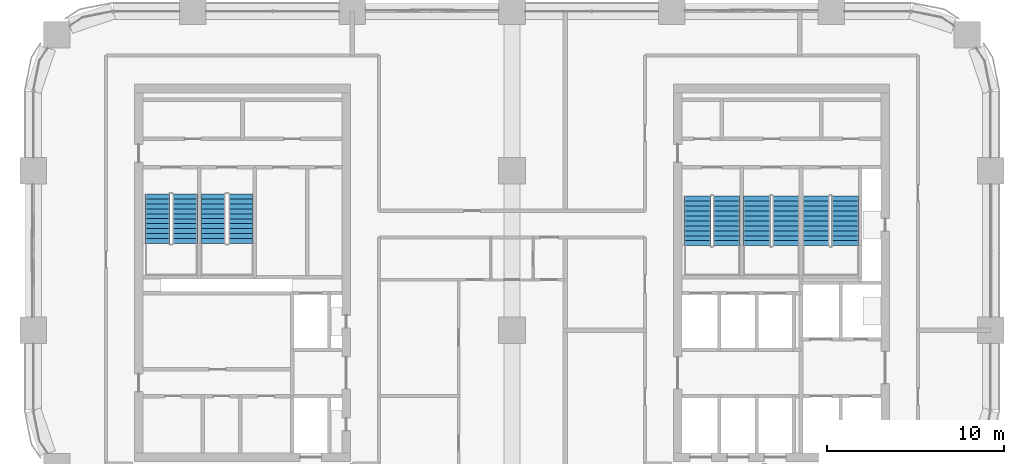
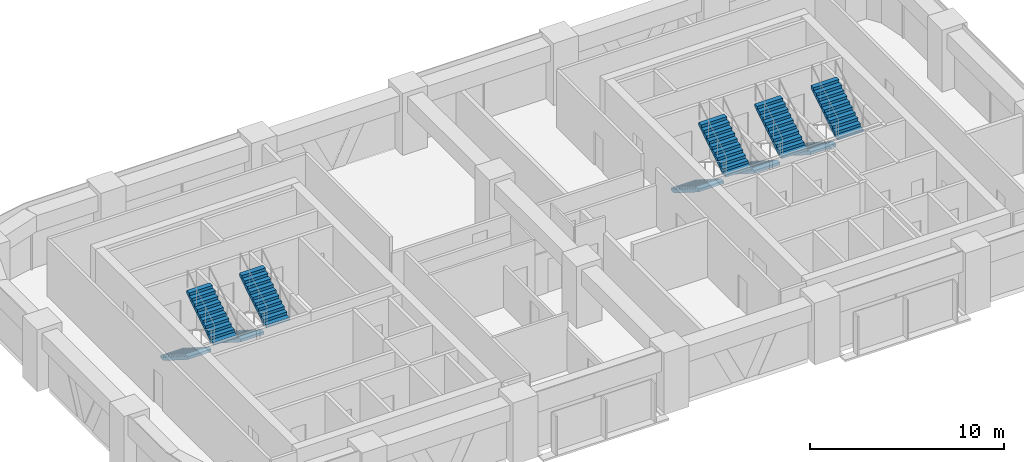
# One storey, part 11 of 13: 10 stair flights, 5 elements without a shape of their own.
"""IFC4 building model written with IfcOpenShell, lengths in metres."""

from ifc_helpers import new_model, si_unit, direction, frame, origin, place, context, subcontext, project, spatial, polyline, outline, extrude, material, type_object, element, aggregate, save


model = new_model("IFC4")

# Units and contexts
model_context = context("Model", 3, precision=1e-05, world=origin(), true_north=direction((0.0, 1.0)))
body_context = subcontext(model_context, "Body", "Model", "MODEL_VIEW")
ifc_project = project(units=[si_unit("LENGTHUNIT", "METRE"), si_unit("AREAUNIT", "SQUARE_METRE"), si_unit("VOLUMEUNIT", "CUBIC_METRE"), si_unit("PLANEANGLEUNIT", "RADIAN"), si_unit("MASSUNIT", "GRAM", prefix="KILO")], contexts=[model_context])

# Site, building, storey
site_placement = place(None, origin())
site = spatial("IfcSite", under=ifc_project, at=site_placement, CompositionType="ELEMENT")
building_placement = place(site_placement, origin())
building = spatial("IfcBuilding", under=site, at=building_placement, Name="Tessera Arch", CompositionType="ELEMENT")
storey_placement = place(building_placement, frame((0.0, 0.0, 158.300048828125)))
storey = spatial("IfcBuildingStorey", under=building, at=storey_placement, Name="L37", CompositionType="ELEMENT", Elevation=158.300048828125)

# Stair, stair flights
ifc_material_1 = material(Name="Concrete C40/50", Category="concrete")
stair_type_1 = type_object("IfcStairType", Name="Dogleg stair 1400", PredefinedType="HALF_TURN_STAIR", material=ifc_material_1)
stair_1_placement = place(storey_placement, origin())
stair_1 = element("IfcStair", 1, at=stair_1_placement, inside=storey, type_object=stair_type_1, Name="L37 S2a", PredefinedType="HALF_TURN_STAIR")
ifc_material_2 = material(Name="Concrete C40/50", Category="concrete")
stair_flight_type_1 = type_object("IfcStairFlightType", Name="Stair flight 1400", PredefinedType="STRAIGHT", material=ifc_material_2)
stair_flight_1_placement = place(storey_placement, frame((7.0, 43.699951171875, 0.0), z_axis=(0.0, 0.0, 1.0), x_axis=(0.0, -1.0, 0.0)))
stair_flight_1 = element("IfcStairFlight", 2, at=stair_flight_1_placement, type_object=stair_flight_type_1, Name="S2a flight 1", NumberOfRisers=11, NumberOfTreads=10, PredefinedType="STRAIGHT", RiserHeight=0.177272727, TreadLength=0.28, context=body_context, shape_type="SweptSolid", body=[
    extrude(outline(polyline([(0.0, 0.0), (0.0, 0.17724609375), (0.280029296875, 0.17724609375), (0.280029296875, 0.3544921875), (0.56005859375, 0.3544921875), (0.56005859375, 0.53173828125), (0.840087890625, 0.53173828125), (0.840087890625, 0.708984375), (1.1201171875, 0.708984375), (1.1201171875, 0.886474609375), (1.39990234375, 0.886474609375), (1.39990234375, 1.063720703125), (1.679931640625, 1.063720703125), (1.679931640625, 1.240966796875), (1.9599609375, 1.240966796875), (1.9599609375, 1.418212890625), (2.239990234375, 1.418212890625), (2.239990234375, 1.595458984375), (2.52001953125, 1.595458984375), (2.52001953125, 1.772705078125), (2.800048828125, 1.772705078125), (2.800048828125, 1.949951171875), (2.800048828125, 1.59521484375), (0.2802734375, 0.0), (0.0, 0.0)])), frame((0.0, 0.699951171875, 0.0), z_axis=(0.0, -1.0, 0.0), x_axis=(1.0, 0.0, 0.0)), (0.0, 0.0, 1.0), 1.39990234375),
])
stair_flight_2_placement = place(storey_placement, frame((8.550048828125, 40.89990234375, 1.949951171875), z_axis=(0.0, 0.0, 1.0), x_axis=(0.0, 1.0, 0.0)))
stair_flight_2 = element("IfcStairFlight", 3, at=stair_flight_2_placement, type_object=stair_flight_type_1, Name="S2a flight 2", NumberOfRisers=11, NumberOfTreads=10, PredefinedType="STRAIGHT", RiserHeight=0.177272727, TreadLength=0.28, context=body_context, shape_type="SweptSolid", body=[
    extrude(outline(polyline([(0.0, 0.0), (0.0, 0.17724609375), (0.280029296875, 0.17724609375), (0.280029296875, 0.3544921875), (0.56005859375, 0.3544921875), (0.56005859375, 0.53173828125), (0.840087890625, 0.53173828125), (0.840087890625, 0.708984375), (1.1201171875, 0.708984375), (1.1201171875, 0.886474609375), (1.39990234375, 0.886474609375), (1.39990234375, 1.063720703125), (1.679931640625, 1.063720703125), (1.679931640625, 1.240966796875), (1.9599609375, 1.240966796875), (1.9599609375, 1.418212890625), (2.239990234375, 1.418212890625), (2.239990234375, 1.595458984375), (2.52001953125, 1.595458984375), (2.52001953125, 1.772705078125), (2.800048828125, 1.772705078125), (2.800048828125, 1.949951171875), (2.800048828125, 1.59521484375), (0.2802734375, 0.0), (0.0, 0.0)])), frame((0.0, 0.699951171875, 0.0), z_axis=(0.0, -1.0, 0.0), x_axis=(1.0, 0.0, 0.0)), (0.0, 0.0, 1.0), 1.39990234375),
])
aggregate(stair_1, [stair_flight_1, stair_flight_2])

stair_2_placement = place(storey_placement, origin())
stair_2 = element("IfcStair", 4, at=stair_2_placement, inside=storey, type_object=stair_type_1, Name="L37 S2b", PredefinedType="HALF_TURN_STAIR")
stair_flight_3_placement = place(storey_placement, frame((10.14990234375, 43.699951171875, 0.0), z_axis=(0.0, 0.0, 1.0), x_axis=(0.0, -1.0, 0.0)))
stair_flight_3 = element("IfcStairFlight", 5, at=stair_flight_3_placement, type_object=stair_flight_type_1, Name="S2b flight 1", NumberOfRisers=11, NumberOfTreads=10, PredefinedType="STRAIGHT", RiserHeight=0.177272727, TreadLength=0.28, context=body_context, shape_type="SweptSolid", body=[
    extrude(outline(polyline([(0.0, 0.0), (0.0, 0.17724609375), (0.280029296875, 0.17724609375), (0.280029296875, 0.3544921875), (0.56005859375, 0.3544921875), (0.56005859375, 0.53173828125), (0.840087890625, 0.53173828125), (0.840087890625, 0.708984375), (1.1201171875, 0.708984375), (1.1201171875, 0.886474609375), (1.39990234375, 0.886474609375), (1.39990234375, 1.063720703125), (1.679931640625, 1.063720703125), (1.679931640625, 1.240966796875), (1.9599609375, 1.240966796875), (1.9599609375, 1.418212890625), (2.239990234375, 1.418212890625), (2.239990234375, 1.595458984375), (2.52001953125, 1.595458984375), (2.52001953125, 1.772705078125), (2.800048828125, 1.772705078125), (2.800048828125, 1.949951171875), (2.800048828125, 1.59521484375), (0.2802734375, 0.0), (0.0, 0.0)])), frame((0.0, 0.699951171875, 0.0), z_axis=(0.0, -1.0, 0.0), x_axis=(1.0, 0.0, 0.0)), (0.0, 0.0, 1.0), 1.39990234375),
])
stair_flight_4_placement = place(storey_placement, frame((11.699951171875, 40.89990234375, 1.949951171875), z_axis=(0.0, 0.0, 1.0), x_axis=(0.0, 1.0, 0.0)))
stair_flight_4 = element("IfcStairFlight", 6, at=stair_flight_4_placement, type_object=stair_flight_type_1, Name="S2b flight 2", NumberOfRisers=11, NumberOfTreads=10, PredefinedType="STRAIGHT", RiserHeight=0.177272727, TreadLength=0.28, context=body_context, shape_type="SweptSolid", body=[
    extrude(outline(polyline([(0.0, 0.0), (0.0, 0.17724609375), (0.280029296875, 0.17724609375), (0.280029296875, 0.3544921875), (0.56005859375, 0.3544921875), (0.56005859375, 0.53173828125), (0.840087890625, 0.53173828125), (0.840087890625, 0.708984375), (1.1201171875, 0.708984375), (1.1201171875, 0.886474609375), (1.39990234375, 0.886474609375), (1.39990234375, 1.063720703125), (1.679931640625, 1.063720703125), (1.679931640625, 1.240966796875), (1.9599609375, 1.240966796875), (1.9599609375, 1.418212890625), (2.239990234375, 1.418212890625), (2.239990234375, 1.595458984375), (2.52001953125, 1.595458984375), (2.52001953125, 1.772705078125), (2.800048828125, 1.772705078125), (2.800048828125, 1.949951171875), (2.800048828125, 1.59521484375), (0.2802734375, 0.0), (0.0, 0.0)])), frame((0.0, 0.699951171875, 0.0), z_axis=(0.0, -1.0, 0.0), x_axis=(1.0, 0.0, 0.0)), (0.0, 0.0, 1.0), 1.39990234375),
])
aggregate(stair_2, [stair_flight_3, stair_flight_4])

ifc_material_3 = material(Name="Concrete C40/50", Category="concrete")
stair_type_2 = type_object("IfcStairType", Name="Dogleg stair 1520", PredefinedType="HALF_TURN_STAIR", material=ifc_material_3)
stair_3_placement = place(storey_placement, origin())
stair_3 = element("IfcStair", 7, at=stair_3_placement, inside=storey, type_object=stair_type_2, Name="L37 S1a", PredefinedType="HALF_TURN_STAIR")
ifc_material_4 = material(Name="Concrete C40/50", Category="concrete")
stair_flight_type_2 = type_object("IfcStairFlightType", Name="Stair flight 1520", PredefinedType="STRAIGHT", material=ifc_material_4)
stair_flight_5_placement = place(storey_placement, frame((37.4599609375, 43.580078125, 0.0), z_axis=(0.0, 0.0, 1.0), x_axis=(0.0, -1.0, 0.0)))
stair_flight_5 = element("IfcStairFlight", 8, at=stair_flight_5_placement, type_object=stair_flight_type_2, Name="S1a flight 1", NumberOfRisers=11, NumberOfTreads=10, PredefinedType="STRAIGHT", RiserHeight=0.177272727, TreadLength=0.28, context=body_context, shape_type="SweptSolid", body=[
    extrude(outline(polyline([(0.0, 0.0), (0.0, 0.17724609375), (0.280029296875, 0.17724609375), (0.280029296875, 0.3544921875), (0.56005859375, 0.3544921875), (0.56005859375, 0.53173828125), (0.840087890625, 0.53173828125), (0.840087890625, 0.708984375), (1.1201171875, 0.708984375), (1.1201171875, 0.886474609375), (1.39990234375, 0.886474609375), (1.39990234375, 1.063720703125), (1.679931640625, 1.063720703125), (1.679931640625, 1.240966796875), (1.9599609375, 1.240966796875), (1.9599609375, 1.418212890625), (2.239990234375, 1.418212890625), (2.239990234375, 1.595458984375), (2.52001953125, 1.595458984375), (2.52001953125, 1.772705078125), (2.800048828125, 1.772705078125), (2.800048828125, 1.949951171875), (2.800048828125, 1.59521484375), (0.2802734375, 0.0), (0.0, 0.0)])), frame((0.0, 0.760009765625, 0.0), z_axis=(0.0, -1.0, 0.0), x_axis=(1.0, 0.0, 0.0)), (0.0, 0.0, 1.0), 1.52001953125),
])
stair_flight_6_placement = place(storey_placement, frame((39.090087890625, 40.780029296875, 1.949951171875), z_axis=(0.0, 0.0, 1.0), x_axis=(0.0, 1.0, 0.0)))
stair_flight_6 = element("IfcStairFlight", 9, at=stair_flight_6_placement, type_object=stair_flight_type_2, Name="S1a flight 2", NumberOfRisers=11, NumberOfTreads=10, PredefinedType="STRAIGHT", RiserHeight=0.177272727, TreadLength=0.28, context=body_context, shape_type="SweptSolid", body=[
    extrude(outline(polyline([(0.0, 0.0), (0.0, 0.17724609375), (0.280029296875, 0.17724609375), (0.280029296875, 0.3544921875), (0.56005859375, 0.3544921875), (0.56005859375, 0.53173828125), (0.840087890625, 0.53173828125), (0.840087890625, 0.708984375), (1.1201171875, 0.708984375), (1.1201171875, 0.886474609375), (1.39990234375, 0.886474609375), (1.39990234375, 1.063720703125), (1.679931640625, 1.063720703125), (1.679931640625, 1.240966796875), (1.9599609375, 1.240966796875), (1.9599609375, 1.418212890625), (2.239990234375, 1.418212890625), (2.239990234375, 1.595458984375), (2.52001953125, 1.595458984375), (2.52001953125, 1.772705078125), (2.800048828125, 1.772705078125), (2.800048828125, 1.949951171875), (2.800048828125, 1.59521484375), (0.2802734375, 0.0), (0.0, 0.0)])), frame((0.0, 0.760009765625, 0.0), z_axis=(0.0, -1.0, 0.0), x_axis=(1.0, 0.0, 0.0)), (0.0, 0.0, 1.0), 1.52001953125),
])
aggregate(stair_3, [stair_flight_5, stair_flight_6])

stair_4_placement = place(storey_placement, origin())
stair_4 = element("IfcStair", 10, at=stair_4_placement, inside=storey, type_object=stair_type_2, Name="L37 S1b", PredefinedType="HALF_TURN_STAIR")
stair_flight_7_placement = place(storey_placement, frame((40.81005859375, 43.580078125, 0.0), z_axis=(0.0, 0.0, 1.0), x_axis=(0.0, -1.0, 0.0)))
stair_flight_7 = element("IfcStairFlight", 11, at=stair_flight_7_placement, type_object=stair_flight_type_2, Name="S1b flight 1", NumberOfRisers=11, NumberOfTreads=10, PredefinedType="STRAIGHT", RiserHeight=0.177272727, TreadLength=0.28, context=body_context, shape_type="SweptSolid", body=[
    extrude(outline(polyline([(0.0, 0.0), (0.0, 0.17724609375), (0.280029296875, 0.17724609375), (0.280029296875, 0.3544921875), (0.56005859375, 0.3544921875), (0.56005859375, 0.53173828125), (0.840087890625, 0.53173828125), (0.840087890625, 0.708984375), (1.1201171875, 0.708984375), (1.1201171875, 0.886474609375), (1.39990234375, 0.886474609375), (1.39990234375, 1.063720703125), (1.679931640625, 1.063720703125), (1.679931640625, 1.240966796875), (1.9599609375, 1.240966796875), (1.9599609375, 1.418212890625), (2.239990234375, 1.418212890625), (2.239990234375, 1.595458984375), (2.52001953125, 1.595458984375), (2.52001953125, 1.772705078125), (2.800048828125, 1.772705078125), (2.800048828125, 1.949951171875), (2.800048828125, 1.59521484375), (0.2802734375, 0.0), (0.0, 0.0)])), frame((0.0, 0.760009765625, 0.0), z_axis=(0.0, -1.0, 0.0), x_axis=(1.0, 0.0, 0.0)), (0.0, 0.0, 1.0), 1.52001953125),
])
stair_flight_8_placement = place(storey_placement, frame((42.43994140625, 40.780029296875, 1.949951171875), z_axis=(0.0, 0.0, 1.0), x_axis=(0.0, 1.0, 0.0)))
stair_flight_8 = element("IfcStairFlight", 12, at=stair_flight_8_placement, type_object=stair_flight_type_2, Name="S1b flight 2", NumberOfRisers=11, NumberOfTreads=10, PredefinedType="STRAIGHT", RiserHeight=0.177272727, TreadLength=0.28, context=body_context, shape_type="SweptSolid", body=[
    extrude(outline(polyline([(0.0, 0.0), (0.0, 0.17724609375), (0.280029296875, 0.17724609375), (0.280029296875, 0.3544921875), (0.56005859375, 0.3544921875), (0.56005859375, 0.53173828125), (0.840087890625, 0.53173828125), (0.840087890625, 0.708984375), (1.1201171875, 0.708984375), (1.1201171875, 0.886474609375), (1.39990234375, 0.886474609375), (1.39990234375, 1.063720703125), (1.679931640625, 1.063720703125), (1.679931640625, 1.240966796875), (1.9599609375, 1.240966796875), (1.9599609375, 1.418212890625), (2.239990234375, 1.418212890625), (2.239990234375, 1.595458984375), (2.52001953125, 1.595458984375), (2.52001953125, 1.772705078125), (2.800048828125, 1.772705078125), (2.800048828125, 1.949951171875), (2.800048828125, 1.59521484375), (0.2802734375, 0.0), (0.0, 0.0)])), frame((0.0, 0.760009765625, 0.0), z_axis=(0.0, -1.0, 0.0), x_axis=(1.0, 0.0, 0.0)), (0.0, 0.0, 1.0), 1.52001953125),
])
aggregate(stair_4, [stair_flight_7, stair_flight_8])

stair_5_placement = place(storey_placement, origin())
stair_5 = element("IfcStair", 13, at=stair_5_placement, inside=storey, type_object=stair_type_2, Name="L37 S1c", PredefinedType="HALF_TURN_STAIR")
stair_flight_9_placement = place(storey_placement, frame((44.159912109375, 43.580078125, 0.0), z_axis=(0.0, 0.0, 1.0), x_axis=(0.0, -1.0, 0.0)))
stair_flight_9 = element("IfcStairFlight", 14, at=stair_flight_9_placement, type_object=stair_flight_type_2, Name="S1c flight 1", NumberOfRisers=11, NumberOfTreads=10, PredefinedType="STRAIGHT", RiserHeight=0.177272727, TreadLength=0.28, context=body_context, shape_type="SweptSolid", body=[
    extrude(outline(polyline([(0.0, 0.0), (0.0, 0.17724609375), (0.280029296875, 0.17724609375), (0.280029296875, 0.3544921875), (0.56005859375, 0.3544921875), (0.56005859375, 0.53173828125), (0.840087890625, 0.53173828125), (0.840087890625, 0.708984375), (1.1201171875, 0.708984375), (1.1201171875, 0.886474609375), (1.39990234375, 0.886474609375), (1.39990234375, 1.063720703125), (1.679931640625, 1.063720703125), (1.679931640625, 1.240966796875), (1.9599609375, 1.240966796875), (1.9599609375, 1.418212890625), (2.239990234375, 1.418212890625), (2.239990234375, 1.595458984375), (2.52001953125, 1.595458984375), (2.52001953125, 1.772705078125), (2.800048828125, 1.772705078125), (2.800048828125, 1.949951171875), (2.800048828125, 1.59521484375), (0.2802734375, 0.0), (0.0, 0.0)])), frame((0.0, 0.760009765625, 0.0), z_axis=(0.0, -1.0, 0.0), x_axis=(1.0, 0.0, 0.0)), (0.0, 0.0, 1.0), 1.52001953125),
])
stair_flight_10_placement = place(storey_placement, frame((45.7900390625, 40.780029296875, 1.949951171875), z_axis=(0.0, 0.0, 1.0), x_axis=(0.0, 1.0, 0.0)))
stair_flight_10 = element("IfcStairFlight", 15, at=stair_flight_10_placement, type_object=stair_flight_type_2, Name="S1c flight 2", NumberOfRisers=11, NumberOfTreads=10, PredefinedType="STRAIGHT", RiserHeight=0.177272727, TreadLength=0.28, context=body_context, shape_type="SweptSolid", body=[
    extrude(outline(polyline([(0.0, 0.0), (0.0, 0.17724609375), (0.280029296875, 0.17724609375), (0.280029296875, 0.3544921875), (0.56005859375, 0.3544921875), (0.56005859375, 0.53173828125), (0.840087890625, 0.53173828125), (0.840087890625, 0.708984375), (1.1201171875, 0.708984375), (1.1201171875, 0.886474609375), (1.39990234375, 0.886474609375), (1.39990234375, 1.063720703125), (1.679931640625, 1.063720703125), (1.679931640625, 1.240966796875), (1.9599609375, 1.240966796875), (1.9599609375, 1.418212890625), (2.239990234375, 1.418212890625), (2.239990234375, 1.595458984375), (2.52001953125, 1.595458984375), (2.52001953125, 1.772705078125), (2.800048828125, 1.772705078125), (2.800048828125, 1.949951171875), (2.800048828125, 1.59521484375), (0.2802734375, 0.0), (0.0, 0.0)])), frame((0.0, 0.760009765625, 0.0), z_axis=(0.0, -1.0, 0.0), x_axis=(1.0, 0.0, 0.0)), (0.0, 0.0, 1.0), 1.52001953125),
])
aggregate(stair_5, [stair_flight_9, stair_flight_10])

save(model, "model.ifc")
